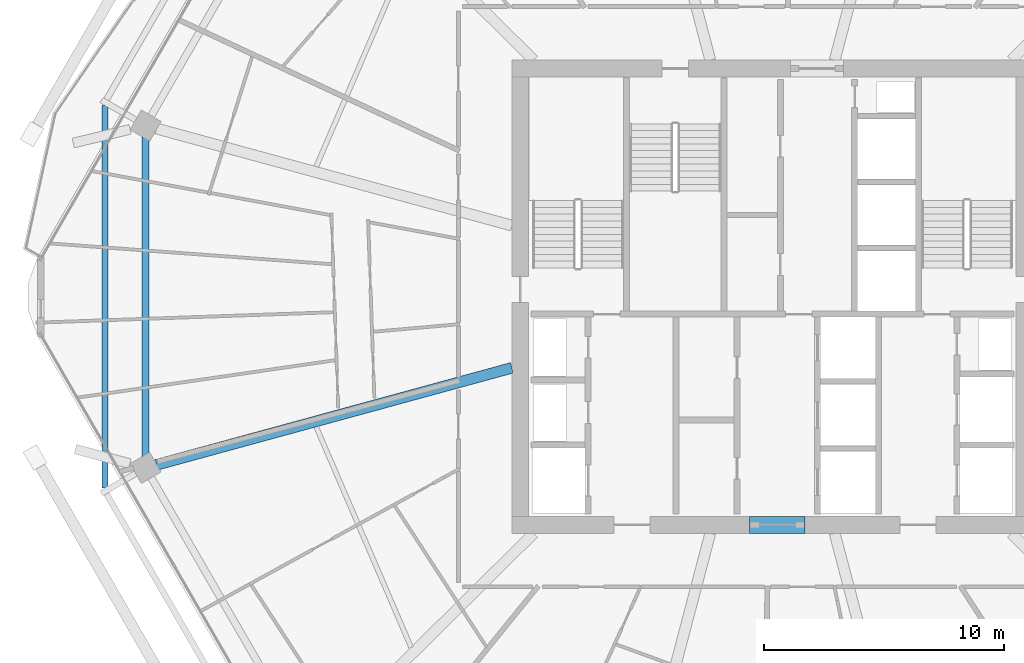
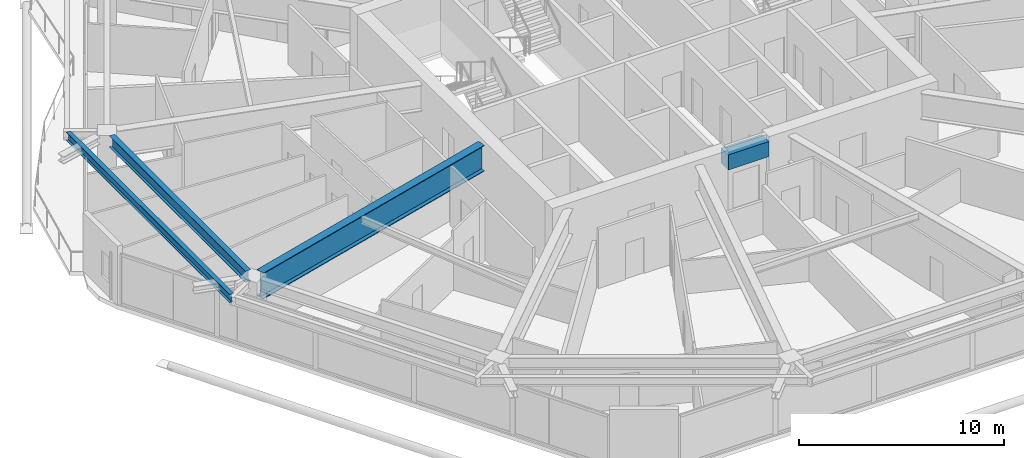
# One storey, part 7 of 28: 4 beams.
"""IFC4 building model written with IfcOpenShell, lengths in metres."""

from ifc_helpers import new_model, si_unit, direction, frame, origin, origin_2d, place, context, subcontext, project, spatial, rectangle, i_section, extrude, material, material_profile, profile_set, type_object, element, save


model = new_model("IFC4")

# Units and contexts
model_context = context("Model", 3, precision=1e-05, world=origin(), true_north=direction((0.0, 1.0)))
body_context = subcontext(model_context, "Body", "Model", "MODEL_VIEW")
ifc_project = project(units=[si_unit("LENGTHUNIT", "METRE"), si_unit("AREAUNIT", "SQUARE_METRE"), si_unit("VOLUMEUNIT", "CUBIC_METRE"), si_unit("PLANEANGLEUNIT", "RADIAN"), si_unit("MASSUNIT", "GRAM", prefix="KILO")], contexts=[model_context])

# Site, building, storey
site_placement = place(None, origin())
site = spatial("IfcSite", under=ifc_project, at=site_placement, CompositionType="ELEMENT")
building_placement = place(site_placement, origin())
building = spatial("IfcBuilding", under=site, at=building_placement, Name="Zuhravey Tower", CompositionType="ELEMENT")
storey_placement = place(building_placement, frame((0.0, 0.0, 222.60009765625)))
storey = spatial("IfcBuildingStorey", under=building, at=storey_placement, Name="L56", CompositionType="ELEMENT", Elevation=222.60009765625)

# Beams
ifc_material_1 = material(Name="Concrete C60/75", Category="concrete")
ifc_material_profile_1 = material_profile(ifc_material_1, rectangle(XDim=0.699951171875, YDim=0.89990234375, at=origin_2d()), Name="RC-700x900")
ifc_profile_set_1 = profile_set([ifc_material_profile_1], Name="Concrete C60/75")
beam_type_1 = type_object("IfcBeamType", Name="Core Coupling Beam RC700x900", PredefinedType="LINTEL", material=ifc_profile_set_1)
beam_1_placement = place(storey_placement, frame((35.052001953125, 22.5, 3.06982421875), z_axis=(1.0, 0.0, 0.0), x_axis=(0.0, 1.0, 0.0)))
element("IfcBeam", 1, at=beam_1_placement, inside=storey, type_object=beam_type_1, Name="L56 CB1 BM-L56-CB-S", PredefinedType="LINTEL", context=body_context, shape_type="SweptSolid", body=[
    extrude(rectangle(XDim=0.699951171875, YDim=0.89990234375, at=origin_2d()), origin(), (0.0, 0.0, 1.0), 2.2958984375),
])
ifc_material_2 = material(Name="Steel SM460", Category="steel")
ifc_material_profile_2 = material_profile(ifc_material_2, i_section(OverallWidth=0.449951171875, OverallDepth=1.550048828125, WebThickness=0.02587890625, FlangeThickness=0.0419921875, at=origin_2d()), Name="H-1550x450x26x42")
ifc_profile_set_2 = profile_set([ifc_material_profile_2], Name="Steel SM460")
beam_type_2 = type_object("IfcBeamType", Name="Heavy Setback Transfer Girder H1550x450", PredefinedType="BEAM", material=ifc_profile_set_2)
beam_2_placement = place(storey_placement, frame((25.14697265625, 29.03759765625, 2.744873046875), z_axis=(-0.964701703464, -0.263345065139, 0.0), x_axis=(0.263345065139, -0.964701703464, 0.0)))
element("IfcBeam", 2, at=beam_2_placement, inside=storey, type_object=beam_type_2, Name="L56 TG3 BM-L56-RAD-07", PredefinedType="BEAM", context=body_context, shape_type="SweptSolid", body=[
    extrude(i_section(OverallWidth=0.449951171875, OverallDepth=1.550048828125, WebThickness=0.02587890625, FlangeThickness=0.0419921875, at=origin_2d()), origin(), (0.0, 0.0, 1.0), 15.334716796875),
])
ifc_material_3 = material(Name="Steel SM355", Category="steel")
ifc_material_profile_3 = material_profile(ifc_material_3, i_section(OverallWidth=0.300048828125, OverallDepth=0.679931640625, WebThickness=0.012939453125, FlangeThickness=0.02197265625, at=origin_2d()), Name="H-680x300x13x22")
ifc_profile_set_3 = profile_set([ifc_material_profile_3], Name="Steel SM355")
beam_type_3 = type_object("IfcBeamType", Name="Perimeter Ring Beam H680x300", PredefinedType="BEAM", material=ifc_profile_set_3)
beam_3_placement = place(storey_placement, frame((9.892333984375, 38.6484375, 3.179931640625), z_axis=(0.0, -1.0, 0.0), x_axis=(1.0, 0.0, 0.0)))
element("IfcBeam", 3, at=beam_3_placement, inside=storey, type_object=beam_type_3, Name="L56 PB2 BM-L56-PB-06", PredefinedType="BEAM", context=body_context, shape_type="SweptSolid", body=[
    extrude(i_section(OverallWidth=0.300048828125, OverallDepth=0.679931640625, WebThickness=0.012939453125, FlangeThickness=0.02197265625, at=origin_2d()), origin(), (0.0, 0.0, 1.0), 13.296875),
])
ifc_material_profile_4 = material_profile(ifc_material_3, i_section(OverallWidth=0.25, OverallDepth=0.5, WebThickness=0.010009765625, FlangeThickness=0.01611328125, at=origin_2d()), Name="H-500x250x10x16")
ifc_profile_set_4 = profile_set([ifc_material_profile_4], Name="Steel SM355")
beam_type_4 = type_object("IfcBeamType", Name="Tray Cantilever Spandrel H500x250", PredefinedType="SPANDREL", material=ifc_profile_set_4)
beam_4_placement = place(storey_placement, frame((8.20361328125, 39.96142578125, 3.27001953125), z_axis=(0.0, -1.0, 0.0), x_axis=(1.0, 0.0, 0.0)))
element("IfcBeam", 4, at=beam_4_placement, inside=storey, type_object=beam_type_4, Name="L56 Sky-Tray Edge Spandrel TSB1-06", PredefinedType="SPANDREL", context=body_context, shape_type="SweptSolid", body=[
    extrude(i_section(OverallWidth=0.25, OverallDepth=0.5, WebThickness=0.010009765625, FlangeThickness=0.01611328125, at=origin_2d()), origin(), (0.0, 0.0, 1.0), 15.9228515625),
])

save(model, "model.ifc")
